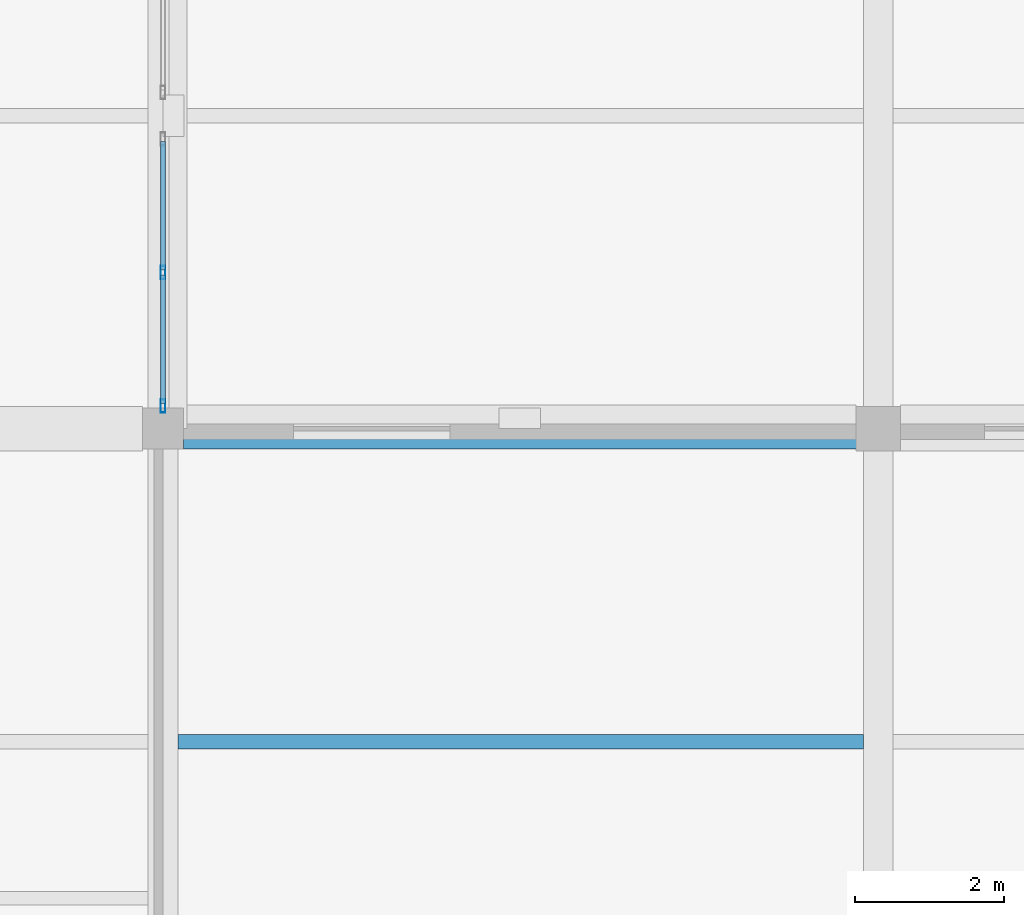
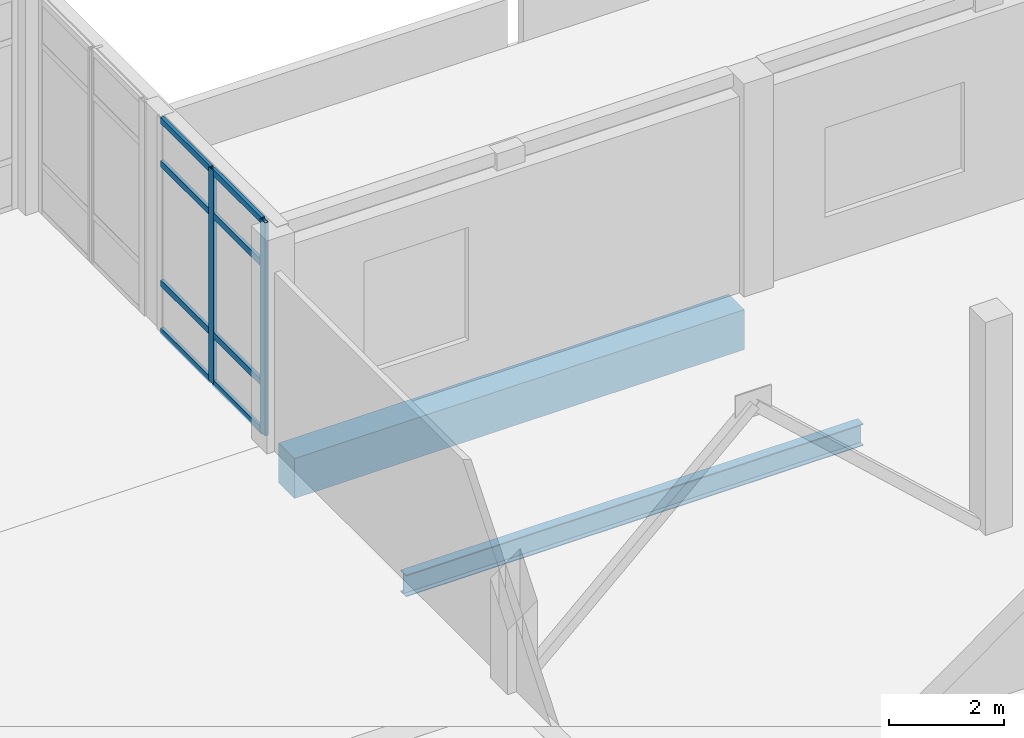
# One storey, part 48 of 88: 10 members, 2 beams, 1 element without a shape of its own.
"""IFC4 building model written with IfcOpenShell, lengths in metres."""

from ifc_helpers import new_model, si_unit, direction, frame, origin, origin_2d, place, context, subcontext, project, spatial, rectangle, hollow_rectangle, i_section, extrude, material, layer, layer_set, material_profile, profile_set, type_object, element, aggregate, save


model = new_model("IFC4")

# Units and contexts
model_context = context("Model", 3, precision=1e-05, world=origin(), true_north=direction((0.0, 1.0)))
body_context = subcontext(model_context, "Body", "Model", "MODEL_VIEW")
ifc_project = project(units=[si_unit("LENGTHUNIT", "METRE"), si_unit("AREAUNIT", "SQUARE_METRE"), si_unit("VOLUMEUNIT", "CUBIC_METRE"), si_unit("PLANEANGLEUNIT", "RADIAN"), si_unit("MASSUNIT", "GRAM", prefix="KILO")], contexts=[model_context])

# Site, building, storey
site_placement = place(None, origin())
site = spatial("IfcSite", under=ifc_project, at=site_placement, CompositionType="ELEMENT")
building_placement = place(site_placement, origin())
building = spatial("IfcBuilding", under=site, at=building_placement, Name="Lornevale Opera House", CompositionType="ELEMENT")
storey_placement = place(building_placement, frame((0.0, 0.0, 10.199951171875)))
storey = spatial("IfcBuildingStorey", under=building, at=storey_placement, Name="L03", CompositionType="ELEMENT", Elevation=10.199951171875)

# Beam
ifc_material_1 = material(Name="Concrete 35 MPa (CSA A23.1 N)", Category="concrete")
ifc_material_profile_1 = material_profile(ifc_material_1, rectangle(XDim=0.550048828125, YDim=0.85009765625, at=origin_2d()), Name="RC550x850")
ifc_profile_set_1 = profile_set([ifc_material_profile_1], Name="Concrete 35 MPa (CSA A23.1 N)")
beam_type_1 = type_object("IfcBeamType", Name="Concrete Primary Girder 550x850", PredefinedType="USERDEFINED", material=ifc_profile_set_1)
beam_1_placement = place(storey_placement, frame((38.675048828125, 92.39990234375, -0.71484375), z_axis=(1.0, 0.0, 0.0), x_axis=(0.0, 1.0, 0.0)))
element("IfcBeam", 1, at=beam_1_placement, inside=storey, type_object=beam_type_1, Name="Concrete Primary Girder 550x850 2205", ObjectType="GIRDER", PredefinedType="USERDEFINED", context=body_context, shape_type="SweptSolid", body=[
    extrude(rectangle(XDim=0.550048828125, YDim=0.85009765625, at=origin_2d()), origin(), (0.0, 0.0, 1.0), 9.050048828125),
])

# Curtain wall, members
ifc_material_2 = material(Name="Anodized Oxide-Green Aluminium Framing", Category="aluminium")
ifc_layer = layer(ifc_material_2, 0.175048828125)
ifc_layer_set = layer_set([ifc_layer], Name="Anodized Oxide-Green Aluminium Framing")
curtain_wall_type = type_object("IfcCurtainWallType", Name="Chamber Cloister Curtain Wall M1700", PredefinedType="NOTDEFINED", material=ifc_layer_set)
curtain_wall_placement = place(storey_placement, origin())
curtain_wall = element("IfcCurtainWall", 2, at=curtain_wall_placement, inside=storey, type_object=curtain_wall_type, Name="Chamber Cloister Curtain Wall M1700 CW-129", PredefinedType="NOTDEFINED")
ifc_material_profile_2 = material_profile(ifc_material_2, hollow_rectangle(XDim=0.06494140625, YDim=0.179931640625, WallThickness=0.0048828125, at=origin_2d()), Name="ALU65x180x5")
ifc_profile_set_2 = profile_set([ifc_material_profile_2], Name="Anodized Oxide-Green Aluminium Framing")
member_type_1 = type_object("IfcMemberType", Name="Curtain Wall Mullion 65x180", PredefinedType="MULLION", material=ifc_profile_set_2)
member_1_placement = place(storey_placement, frame((38.39990234375, 94.49560546875, 0.0), z_axis=(0.0, 0.0, 1.0), x_axis=(1.0, 0.0, 0.0)))
member_1 = element("IfcMember", 3, at=member_1_placement, type_object=member_type_1, Name="Curtain Wall Mullion 65x180 CW2674", PredefinedType="MULLION", context=body_context, shape_type="SweptSolid", body=[
    extrude(hollow_rectangle(XDim=0.06494140625, YDim=0.179931640625, WallThickness=0.0048828125, at=origin_2d()), origin(), (0.0, 0.0, 1.0), 4.5400390625),
])
member_2_placement = place(storey_placement, frame((38.39990234375, 92.70361328125, 0.0), z_axis=(0.0, 0.0, 1.0), x_axis=(1.0, 0.0, 0.0)))
member_2 = element("IfcMember", 4, at=member_2_placement, type_object=member_type_1, Name="Curtain Wall Mullion 65x180 CW2675", PredefinedType="MULLION", context=body_context, shape_type="SweptSolid", body=[
    extrude(hollow_rectangle(XDim=0.06494140625, YDim=0.179931640625, WallThickness=0.0048828125, at=origin_2d()), origin(), (0.0, 0.0, 1.0), 4.5400390625),
])
ifc_material_profile_3 = material_profile(ifc_material_2, hollow_rectangle(XDim=0.06494140625, YDim=0.135009765625, WallThickness=0.00390625, at=origin_2d()), Name="ALU65x135x4")
ifc_profile_set_3 = profile_set([ifc_material_profile_3], Name="Anodized Oxide-Green Aluminium Framing")
member_type_2 = type_object("IfcMemberType", Name="Curtain Wall Transom 65x135", PredefinedType="USERDEFINED", material=ifc_profile_set_3)
member_3_placement = place(storey_placement, frame((38.39990234375, 96.2548828125, 0.032470703125), z_axis=(0.0, -1.0, 0.0), x_axis=(1.0, 0.0, 0.0)))
member_3 = element("IfcMember", 5, at=member_3_placement, type_object=member_type_2, Name="Curtain Wall Transom 65x135 CW2676", ObjectType="TRANSOM", PredefinedType="USERDEFINED", context=body_context, shape_type="SweptSolid", body=[
    extrude(hollow_rectangle(XDim=0.06494140625, YDim=0.135009765625, WallThickness=0.00390625, at=origin_2d()), origin(), (0.0, 0.0, 1.0), 1.726806640625),
])
member_4_placement = place(storey_placement, frame((38.39990234375, 96.2548828125, 1.050048828125), z_axis=(0.0, -1.0, 0.0), x_axis=(1.0, 0.0, 0.0)))
member_4 = element("IfcMember", 6, at=member_4_placement, type_object=member_type_2, Name="Curtain Wall Transom 65x135 CW2677", ObjectType="TRANSOM", PredefinedType="USERDEFINED", context=body_context, shape_type="SweptSolid", body=[
    extrude(hollow_rectangle(XDim=0.06494140625, YDim=0.135009765625, WallThickness=0.00390625, at=origin_2d()), origin(), (0.0, 0.0, 1.0), 1.726806640625),
])
member_5_placement = place(storey_placement, frame((38.39990234375, 96.2548828125, 3.590087890625), z_axis=(0.0, -1.0, 0.0), x_axis=(1.0, 0.0, 0.0)))
member_5 = element("IfcMember", 7, at=member_5_placement, type_object=member_type_2, Name="Curtain Wall Transom 65x135 CW2678", ObjectType="TRANSOM", PredefinedType="USERDEFINED", context=body_context, shape_type="SweptSolid", body=[
    extrude(hollow_rectangle(XDim=0.06494140625, YDim=0.135009765625, WallThickness=0.00390625, at=origin_2d()), origin(), (0.0, 0.0, 1.0), 1.726806640625),
])
member_6_placement = place(storey_placement, frame((38.39990234375, 96.2548828125, 4.507568359375), z_axis=(0.0, -1.0, 0.0), x_axis=(1.0, 0.0, 0.0)))
member_6 = element("IfcMember", 8, at=member_6_placement, type_object=member_type_2, Name="Curtain Wall Transom 65x135 CW2679", ObjectType="TRANSOM", PredefinedType="USERDEFINED", context=body_context, shape_type="SweptSolid", body=[
    extrude(hollow_rectangle(XDim=0.06494140625, YDim=0.135009765625, WallThickness=0.00390625, at=origin_2d()), origin(), (0.0, 0.0, 1.0), 1.726806640625),
])
member_7_placement = place(storey_placement, frame((38.39990234375, 94.462890625, 0.032470703125), z_axis=(0.0, -1.0, 0.0), x_axis=(1.0, 0.0, 0.0)))
member_7 = element("IfcMember", 9, at=member_7_placement, type_object=member_type_2, Name="Curtain Wall Transom 65x135 CW2683", ObjectType="TRANSOM", PredefinedType="USERDEFINED", context=body_context, shape_type="SweptSolid", body=[
    extrude(hollow_rectangle(XDim=0.06494140625, YDim=0.135009765625, WallThickness=0.00390625, at=origin_2d()), origin(), (0.0, 0.0, 1.0), 1.726806640625),
])
member_8_placement = place(storey_placement, frame((38.39990234375, 94.462890625, 1.050048828125), z_axis=(0.0, -1.0, 0.0), x_axis=(1.0, 0.0, 0.0)))
member_8 = element("IfcMember", 10, at=member_8_placement, type_object=member_type_2, Name="Curtain Wall Transom 65x135 CW2684", ObjectType="TRANSOM", PredefinedType="USERDEFINED", context=body_context, shape_type="SweptSolid", body=[
    extrude(hollow_rectangle(XDim=0.06494140625, YDim=0.135009765625, WallThickness=0.00390625, at=origin_2d()), origin(), (0.0, 0.0, 1.0), 1.726806640625),
])
member_9_placement = place(storey_placement, frame((38.39990234375, 94.462890625, 3.590087890625), z_axis=(0.0, -1.0, 0.0), x_axis=(1.0, 0.0, 0.0)))
member_9 = element("IfcMember", 11, at=member_9_placement, type_object=member_type_2, Name="Curtain Wall Transom 65x135 CW2685", ObjectType="TRANSOM", PredefinedType="USERDEFINED", context=body_context, shape_type="SweptSolid", body=[
    extrude(hollow_rectangle(XDim=0.06494140625, YDim=0.135009765625, WallThickness=0.00390625, at=origin_2d()), origin(), (0.0, 0.0, 1.0), 1.726806640625),
])
member_10_placement = place(storey_placement, frame((38.39990234375, 94.462890625, 4.507568359375), z_axis=(0.0, -1.0, 0.0), x_axis=(1.0, 0.0, 0.0)))
member_10 = element("IfcMember", 12, at=member_10_placement, type_object=member_type_2, Name="Curtain Wall Transom 65x135 CW2686", ObjectType="TRANSOM", PredefinedType="USERDEFINED", context=body_context, shape_type="SweptSolid", body=[
    extrude(hollow_rectangle(XDim=0.06494140625, YDim=0.135009765625, WallThickness=0.00390625, at=origin_2d()), origin(), (0.0, 0.0, 1.0), 1.726806640625),
])
aggregate(curtain_wall, [member_1, member_2, member_3, member_4, member_5, member_6, member_7, member_8, member_9, member_10])

# Beam
ifc_material_3 = material(Name="Structural Steel CSA G40.21 Grade 350W (350 MPa)", Category="steel")
ifc_material_profile_4 = material_profile(ifc_material_3, i_section(OverallWidth=0.19189453125, OverallDepth=0.462890625, WebThickness=0.010498046875, FlangeThickness=0.017578125, at=origin_2d()), Name="W460x89")
ifc_profile_set_4 = profile_set([ifc_material_profile_4], Name="Structural Steel CSA G40.21 Grade 350W (350 MPa)")
beam_type_2 = type_object("IfcBeamType", Name="Steel Floor Joist W460x89", PredefinedType="JOIST", material=ifc_profile_set_4)
beam_2_placement = place(storey_placement, frame((38.60009765625, 88.199951171875, -0.536376953125), z_axis=(1.0, 0.0, 0.0), x_axis=(0.0, 1.0, 0.0)))
element("IfcBeam", 13, at=beam_2_placement, inside=storey, type_object=beam_type_2, Name="Steel Floor Joist W460x89 2397", PredefinedType="JOIST", context=body_context, shape_type="SweptSolid", body=[
    extrude(i_section(OverallWidth=0.19189453125, OverallDepth=0.462890625, WebThickness=0.010498046875, FlangeThickness=0.017578125, at=origin_2d()), origin(), (0.0, 0.0, 1.0), 9.199951171875),
])

save(model, "model.ifc")
